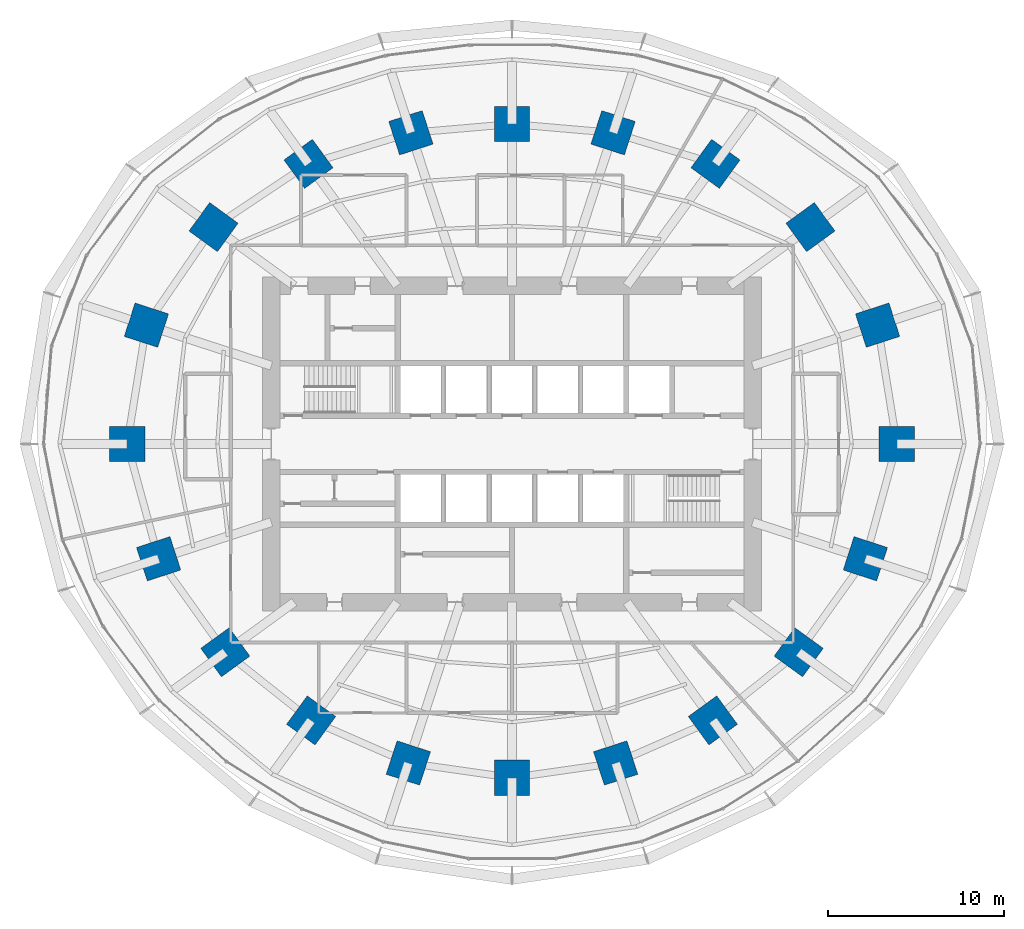
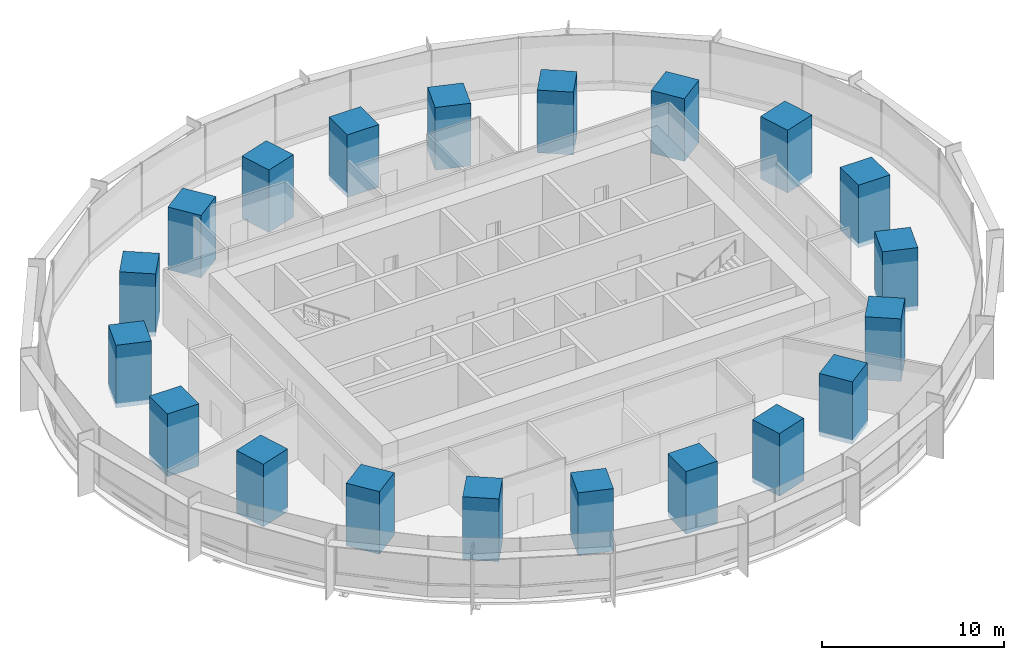
# One storey, part 1 of 15: 20 columns.
"""IFC4 building model written with IfcOpenShell, lengths in metres."""

from ifc_helpers import new_model, si_unit, direction, frame, origin, origin_2d, place, context, subcontext, project, spatial, rectangle, extrude, material, material_profile, profile_set, type_object, element, save


model = new_model("IFC4")

# Units and contexts
model_context = context("Model", 3, precision=1e-05, world=origin(), true_north=direction((0.0, 1.0)))
body_context = subcontext(model_context, "Body", "Model", "MODEL_VIEW")
ifc_project = project(units=[si_unit("LENGTHUNIT", "METRE"), si_unit("AREAUNIT", "SQUARE_METRE"), si_unit("VOLUMEUNIT", "CUBIC_METRE"), si_unit("PLANEANGLEUNIT", "RADIAN"), si_unit("MASSUNIT", "GRAM", prefix="KILO")], contexts=[model_context])

# Site, building, storey
site_placement = place(None, origin())
site = spatial("IfcSite", under=ifc_project, at=site_placement, CompositionType="ELEMENT")
building_placement = place(site_placement, origin())
building = spatial("IfcBuilding", under=site, at=building_placement, Name="Marramba Exchange Tower", CompositionType="ELEMENT")
storey_placement = place(building_placement, frame((0.0, 0.0, 44.800048828125)))
storey = spatial("IfcBuildingStorey", under=building, at=storey_placement, Name="L10", CompositionType="ELEMENT", Elevation=44.800048828125)

# Columns
ifc_material = material(Name="Concrete N50", Category="concrete")
ifc_material_profile = material_profile(ifc_material, rectangle(XDim=2.0, YDim=2.0, at=origin_2d()), Name="RC 2000x2000")
ifc_profile_set = profile_set([ifc_material_profile], Name="Concrete N50")
column_type = type_object("IfcColumnType", Name="Perimeter column RC 2000x2000 N50", PredefinedType="COLUMN", material=ifc_profile_set)
for number, where, z_axis, x_axis, name in (
    (1, (21.89990234375, 0.0, 0.0), (0.0, 0.0, 1.0), (1.0, 0.0, 0.0), "Column TC01 L10"),
    (2, (20.808349609375, 6.760986328125, 0.0), (0.0, 0.0, 1.0), (0.951056516295, 0.309016994375, 0.0), "Column TC02 L10"),
    (3, (16.98583984375, 12.3408203125, 0.0), (0.0, 0.0, 1.0), (0.809016994375, 0.587785252292, 0.0), "Column TC03 L10"),
    (4, (11.581298828125, 15.9404296875, 0.0), (0.0, 0.0, 1.0), (0.587785252292, 0.809016994375, 0.0), "Column TC04 L10"),
    (5, (5.75390625, 17.70849609375, 0.0), (0.0, 0.0, 1.0), (0.309016994375, 0.951056516295, 0.0), "Column TC05 L10"),
    (6, (0.0, 18.2041015625, 0.0), (0.0, 0.0, 1.0), (0.0, 1.0, 0.0), "Column TC06 L10"),
    (7, (-5.75390625, 17.70849609375, 0.0), (0.0, 0.0, 1.0), (-0.309016994375, 0.951056516295, 0.0), "Column TC07 L10"),
    (8, (-11.581298828125, 15.9404296875, 0.0), (0.0, 0.0, 1.0), (-0.587785252292, 0.809016994375, 0.0), "Column TC08 L10"),
    (9, (-16.98583984375, 12.3408203125, 0.0), (0.0, 0.0, 1.0), (-0.809016994375, 0.587785252292, 0.0), "Column TC09 L10"),
    (10, (-20.808349609375, 6.760986328125, 0.0), (0.0, 0.0, 1.0), (-0.951056516295, 0.309016994375, 0.0), "Column TC10 L10"),
    (11, (-21.89990234375, 0.0, 0.0), (0.0, 0.0, 1.0), (-1.0, 0.0, 0.0), "Column TC11 L10"),
    (12, (-20.109375, -6.533935546875, 0.0), (0.0, 0.0, 1.0), (-0.951056516295, -0.309016994375, 0.0), "Column TC12 L10"),
    (13, (-16.3154296875, -11.853759765625, 0.0), (0.0, 0.0, 1.0), (-0.809016994375, -0.587785252292, 0.0), "Column TC13 L10"),
    (14, (-11.430419921875, -15.732666015625, 0.0), (0.0, 0.0, 1.0), (-0.587785252292, -0.809016994375, 0.0), "Column TC14 L10"),
    (15, (-5.899658203125, -18.156982421875, 0.0), (0.0, 0.0, 1.0), (-0.309016994375, -0.951056516295, 0.0), "Column TC15 L10"),
    (16, (0.0, -18.99609375, 0.0), (0.0, 0.0, 1.0), (0.0, -1.0, 0.0), "Column TC16 L10"),
    (17, (5.899658203125, -18.156982421875, 0.0), (0.0, 0.0, 1.0), (0.309016994375, -0.951056516295, 0.0), "Column TC17 L10"),
    (18, (11.430419921875, -15.732666015625, 0.0), (0.0, 0.0, 1.0), (0.587785252292, -0.809016994375, 0.0), "Column TC18 L10"),
    (19, (16.3154296875, -11.853759765625, 0.0), (0.0, 0.0, 1.0), (0.809016994375, -0.587785252292, 0.0), "Column TC19 L10"),
    (20, (20.109375, -6.533935546875, 0.0), (0.0, 0.0, 1.0), (0.951056516295, -0.309016994375, 0.0), "Column TC20 L10"),
):
    element("IfcColumn", number, at=place(storey_placement, frame(where, z_axis=z_axis, x_axis=x_axis)), inside=storey, type_object=column_type, Name=name, PredefinedType="COLUMN", context=body_context, shape_type="SweptSolid", body=[
        extrude(rectangle(XDim=2.0, YDim=2.0, at=origin_2d()), origin(), (0.0, 0.0, 1.0), 4.199951171875),
    ])

save(model, "model.ifc")
